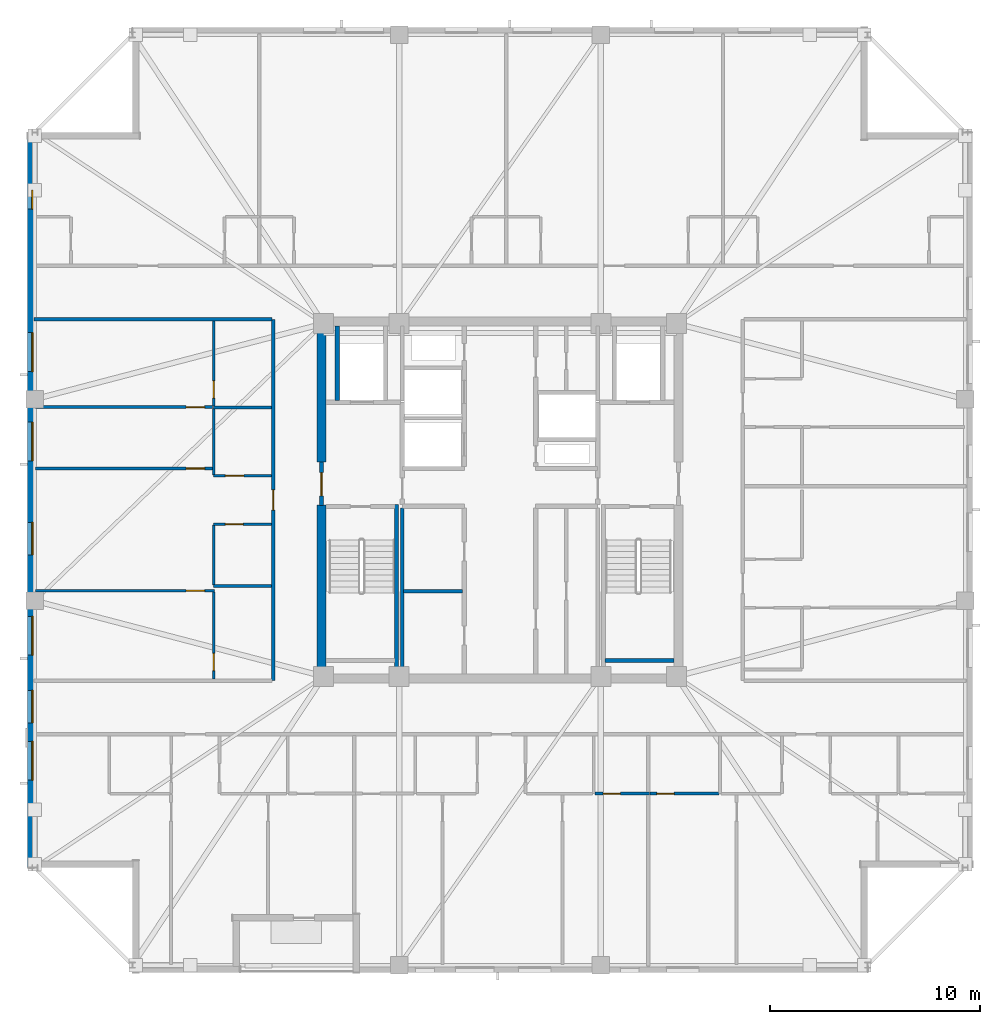
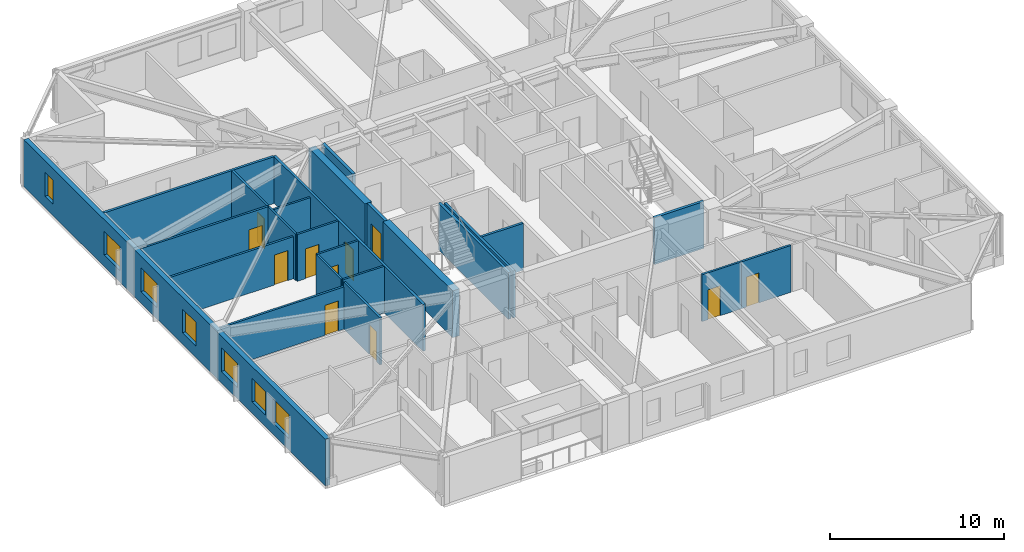
# One storey, part 8 of 17: 24 walls, 11 doors, 7 windows, 18 openings.
"""IFC4 building model written with IfcOpenShell, lengths in metres."""

from ifc_helpers import new_model, si_unit, direction, frame, frame_2d, origin, place, context, subcontext, project, spatial, rectangle, extrude, material, layer, layer_set, type_object, element, fill, save


model = new_model("IFC4")

# Units and contexts
model_context = context("Model", 3, precision=1e-05, world=origin(), true_north=direction((0.0, 1.0)))
body_context = subcontext(model_context, "Body", "Model", "MODEL_VIEW")
ifc_project = project(units=[si_unit("LENGTHUNIT", "METRE"), si_unit("AREAUNIT", "SQUARE_METRE"), si_unit("VOLUMEUNIT", "CUBIC_METRE"), si_unit("PLANEANGLEUNIT", "RADIAN"), si_unit("MASSUNIT", "GRAM", prefix="KILO")], contexts=[model_context])

# Site, building, storey
site_placement = place(None, origin())
site = spatial("IfcSite", under=ifc_project, at=site_placement, CompositionType="ELEMENT")
building_placement = place(site_placement, origin())
building = spatial("IfcBuilding", under=site, at=building_placement, Name="Cairnveth Concourse Tower", CompositionType="ELEMENT")
storey_placement = place(building_placement, frame((0.0, 0.0, 258.5)))
storey = spatial("IfcBuildingStorey", under=building, at=storey_placement, Name="L71", CompositionType="ELEMENT", Elevation=258.5)

# Walls
ifc_material_1 = material(Name="Gypsum Plasterboard Partition", Category="gypsum")
ifc_layer_1 = layer(ifc_material_1, 0.159912109375)
ifc_layer_set_1 = layer_set([ifc_layer_1], Name="Gypsum Plasterboard Partition")
wall_type_1 = type_object("IfcWallType", Name="ACOUSTIC PARTY WALL 180", PredefinedType="PARTITIONING", material=ifc_layer_set_1)
wall_1_placement = place(storey_placement, frame((47.35009765625, 30.7099609375, 0.0), z_axis=(0.0, 0.0, 1.0), x_axis=(0.0, 1.0, 0.0)))
element("IfcWall", 1, at=wall_1_placement, inside=storey, type_object=wall_type_1, Name="Interior Wall IW-L71-025", PredefinedType="PARTITIONING", context=body_context, shape_type="SweptSolid", body=[
    extrude(rectangle(XDim=7.905029296875, YDim=0.159912109375, at=frame_2d((3.95263671875, 0.0))), origin(), (0.0, 0.0, 1.0), 3.2900390625),
])
wall_2_placement = place(storey_placement, frame((47.4150390625, 34.64990234375, 0.0), z_axis=(0.0, 0.0, 1.0), x_axis=(1.0, 0.0, 0.0)))
element("IfcWall", 2, at=wall_2_placement, inside=storey, type_object=wall_type_1, Name="Interior Wall IW-L71-026", PredefinedType="PARTITIONING", context=body_context, shape_type="SweptSolid", body=[
    extrude(rectangle(XDim=2.800048828125, YDim=0.159912109375, at=frame_2d((1.39990234375, 0.0))), origin(), (0.0, 0.0, 1.0), 3.2900390625),
])

# Wall, opening, door
wall_3_placement = place(storey_placement, frame((41.199951171875, 30.39990234375, 0.0), z_axis=(0.0, 0.0, 1.0), x_axis=(0.0, 1.0, 0.0)))
wall_3 = element("IfcWall", 3, at=wall_3_placement, inside=storey, type_object=wall_type_1, Name="Interior Wall IW-L71-038", PredefinedType="PARTITIONING", context=body_context, shape_type="SweptSolid", body=[
    extrude(rectangle(XDim=17.2001953125, YDim=0.159912109375, at=frame_2d((8.60009765625, 0.0))), origin(), (0.0, 0.0, 1.0), 3.2900390625),
])
opening_1_placement = place(wall_3_placement, frame((8.1201171875, 0.0, 0.0)))
opening_1 = element("IfcOpeningElement", 4, at=opening_1_placement, cuts=wall_3, Name="Opening ID10", PredefinedType="OPENING", context=body_context, shape_type="SweptSolid", body=[
    extrude(rectangle(XDim=0.9599609375, YDim=2.179931640625, at=frame_2d((0.47998046875, 1.08984375))), frame((0.0, 0.08984375, 0.0), z_axis=(0.0, -1.0, 0.0), x_axis=(1.0, 0.0, 0.0)), (0.0, 0.0, 1.0), 0.179931640625),
])
ifc_material_2 = material(Name="Solid Core Hardwood Timber Leaf", Category="wood")
door_type_1 = type_object("IfcDoorType", Name="FLAT ENTRANCE DOOR 960X2150", OperationType="NOTDEFINED", PredefinedType="DOOR", material=ifc_material_2)
door_1_placement = place(opening_1_placement, origin())
door_1 = element("IfcDoor", 5, at=door_1_placement, inside=storey, type_object=door_type_1, Name="Apartment L71W1 Entrance Door", OperationType="SINGLE_SWING_RIGHT", OverallHeight=2.179931640625, OverallWidth=0.9599609375, PredefinedType="DOOR", context=body_context, shape_type="SweptSolid", body=[
    extrude(rectangle(XDim=0.9599609375, YDim=2.179931640625, at=frame_2d((0.47998046875, 1.08984375))), frame((0.0, 0.02490234375, 0.0), z_axis=(0.0, -1.0, 0.0), x_axis=(1.0, 0.0, 0.0)), (0.0, 0.0, 1.0), 0.050048828125),
])
fill(opening_1, door_1)

# Walls
wall_4_placement = place(storey_placement, frame((29.804931640625, 47.60009765625, 0.0), z_axis=(0.0, 0.0, 1.0), x_axis=(1.0, 0.0, 0.0)))
element("IfcWall", 6, at=wall_4_placement, inside=storey, type_object=wall_type_1, Name="Interior Wall IW-L71-041", PredefinedType="PARTITIONING", context=body_context, shape_type="SweptSolid", body=[
    extrude(rectangle(XDim=11.330078125, YDim=0.159912109375, at=frame_2d((5.6650390625, 0.0))), origin(), (0.0, 0.0, 1.0), 3.2900390625),
])
ifc_material_3 = material(Name="Concrete N65 (65 MPa)", Category="concrete")
ifc_layer_2 = layer(ifc_material_3, 0.449951171875)
ifc_layer_set_2 = layer_set([ifc_layer_2], Name="Concrete N65 (65 MPa)")
wall_type_2 = type_object("IfcWallType", Name="CORE SHEAR WALL 450", PredefinedType="SHEAR", material=ifc_layer_set_2)
wall_5_placement = place(storey_placement, frame((43.5, 30.715087890625, 0.0), z_axis=(0.0, 0.0, 1.0), x_axis=(0.0, 1.0, 0.0)))
element("IfcWall", 7, at=wall_5_placement, inside=storey, type_object=wall_type_2, Name="Core West Shear Wall S L71", PredefinedType="SHEAR", context=body_context, shape_type="SweptSolid", body=[
    extrude(rectangle(XDim=8.034912109375, YDim=0.449951171875, at=frame_2d((4.017578125, 0.0))), origin(), (0.0, 0.0, 1.0), 3.2900390625),
])
wall_6_placement = place(storey_placement, frame((43.5, 40.800048828125, 0.0), z_axis=(0.0, 0.0, 1.0), x_axis=(0.0, 1.0, 0.0)))
element("IfcWall", 8, at=wall_6_placement, inside=storey, type_object=wall_type_2, Name="Core West Shear Wall N L71", PredefinedType="SHEAR", context=body_context, shape_type="SweptSolid", body=[
    extrude(rectangle(XDim=6.48486328125, YDim=0.449951171875, at=frame_2d((3.242431640625, 0.0))), origin(), (0.0, 0.0, 1.0), 3.2900390625),
])
ifc_material_4 = material(Name="Concrete N50 (50 MPa)", Category="concrete")
ifc_layer_3 = layer(ifc_material_4, 0.179931640625)
ifc_layer_set_3 = layer_set([ifc_layer_3], Name="Concrete N50 (50 MPa)")
wall_type_3 = type_object("IfcWallType", Name="FIRE SHAFT WALL 180", PredefinedType="SOLIDWALL", material=ifc_layer_set_3)
wall_7_placement = place(storey_placement, frame((47.070068359375, 38.780029296875, 0.0), z_axis=(0.0, 0.0, 1.0), x_axis=(0.0, -1.0, 0.0)))
element("IfcWall", 9, at=wall_7_placement, inside=storey, type_object=wall_type_3, Name="Stair ST-1 Shaft Wall RGHT L71", PredefinedType="SOLIDWALL", context=body_context, shape_type="SweptSolid", body=[
    extrude(rectangle(XDim=8.067138671875, YDim=0.179931640625, at=frame_2d((4.03369140625, 0.0))), origin(), (0.0, 0.0, 1.0), 3.2900390625),
])
wall_8_placement = place(storey_placement, frame((57.0048828125, 31.360107421875, 0.0), z_axis=(0.0, 0.0, 1.0), x_axis=(1.0, 0.0, 0.0)))
element("IfcWall", 10, at=wall_8_placement, inside=storey, type_object=wall_type_3, Name="Stair ST-2 Shaft Wall FAR L71", PredefinedType="SOLIDWALL", context=body_context, shape_type="SweptSolid", body=[
    extrude(rectangle(XDim=3.280029296875, YDim=0.179931640625, at=frame_2d((1.64013671875, 0.0))), origin(), (0.0, 0.0, 1.0), 3.2900390625),
])

# Wall, opening, door
ifc_layer_4 = layer(ifc_material_4, 0.199951171875)
ifc_layer_set_4 = layer_set([ifc_layer_4], Name="Concrete N50 (50 MPa)")
wall_type_4 = type_object("IfcWallType", Name="FIRE SHAFT WALL 200", PredefinedType="SOLIDWALL", material=ifc_layer_set_4)
wall_9_placement = place(storey_placement, frame((43.5, 38.75, 0.0), z_axis=(0.0, 0.0, 1.0), x_axis=(0.0, 1.0, 0.0)))
wall_9 = element("IfcWall", 11, at=wall_9_placement, inside=storey, type_object=wall_type_4, Name="Interior Wall IW-L71-015", PredefinedType="SOLIDWALL", context=body_context, shape_type="SweptSolid", body=[
    extrude(rectangle(XDim=2.050048828125, YDim=0.199951171875, at=frame_2d((1.02490234375, 0.0))), origin(), (0.0, 0.0, 1.0), 3.2900390625),
])
opening_2_placement = place(wall_9_placement, frame((0.449951171875, 0.0, 0.0)))
opening_2 = element("IfcOpeningElement", 12, at=opening_2_placement, cuts=wall_9, Name="Opening ID06", PredefinedType="OPENING", context=body_context, shape_type="SweptSolid", body=[
    extrude(rectangle(XDim=1.10009765625, YDim=2.14990234375, at=frame_2d((0.550048828125, 1.074951171875))), frame((0.0, 0.10986328125, 0.0), z_axis=(0.0, -1.0, 0.0), x_axis=(1.0, 0.0, 0.0)), (0.0, 0.0, 1.0), 0.219970703125),
])
ifc_material_5 = material(Name="Steel Grade 350", Category="steel")
door_type_2 = type_object("IfcDoorType", Name="FIRE CORRIDOR DOOR 1100X2150", OperationType="NOTDEFINED", PredefinedType="DOOR", material=ifc_material_5)
door_2_placement = place(opening_2_placement, origin())
door_2 = element("IfcDoor", 13, at=door_2_placement, inside=storey, type_object=door_type_2, Name="West Wing to FF Lobby Door L71", OperationType="SINGLE_SWING_LEFT", OverallHeight=2.14990234375, OverallWidth=1.10009765625, PredefinedType="DOOR", context=body_context, shape_type="SweptSolid", body=[
    extrude(rectangle(XDim=1.10009765625, YDim=2.14990234375, at=frame_2d((0.550048828125, 1.074951171875))), frame((0.0, 0.02490234375, 0.0), z_axis=(0.0, -1.0, 0.0), x_axis=(1.0, 0.0, 0.0)), (0.0, 0.0, 1.0), 0.050048828125),
])
fill(opening_2, door_2)

# Wall
wall_10_placement = place(storey_placement, frame((44.25, 43.735107421875, 0.0), z_axis=(0.0, 0.0, 1.0), x_axis=(0.0, 1.0, 0.0)))
element("IfcWall", 14, at=wall_10_placement, inside=storey, type_object=wall_type_4, Name="Interior Wall IW-L71-019", PredefinedType="SOLIDWALL", context=body_context, shape_type="SweptSolid", body=[
    extrude(rectangle(XDim=3.554931640625, YDim=0.199951171875, at=frame_2d((1.77734375, 0.0))), origin(), (0.0, 0.0, 1.0), 3.2900390625),
])

# Wall, opening, door
ifc_layer_5 = layer(ifc_material_1, 0.139892578125)
ifc_layer_set_5 = layer_set([ifc_layer_5], Name="Gypsum Plasterboard Partition")
wall_type_5 = type_object("IfcWallType", Name="GYPSUM STUD PARTITION 140", PredefinedType="PARTITIONING", material=ifc_layer_set_5)
wall_11_placement = place(storey_placement, frame((56.514892578125, 25.017578125, 0.0), z_axis=(0.0, 0.0, 1.0), x_axis=(1.0, 0.0, 0.0)))
wall_11 = element("IfcWall", 15, at=wall_11_placement, inside=storey, type_object=wall_type_5, Name="Interior Wall IW-L71-063", PredefinedType="PARTITIONING", context=body_context, shape_type="SweptSolid", body=[
    extrude(rectangle(XDim=2.6025390625, YDim=0.139892578125, at=frame_2d((1.30126953125, 0.0))), origin(), (0.0, 0.0, 1.0), 3.2900390625),
])
opening_3_placement = place(wall_11_placement, frame((0.39990234375, 0.0, 0.0)))
opening_3 = element("IfcOpeningElement", 16, at=opening_3_placement, cuts=wall_11, Name="Opening ID22", PredefinedType="OPENING", context=body_context, shape_type="SweptSolid", body=[
    extrude(rectangle(XDim=0.820068359375, YDim=2.10009765625, at=frame_2d((0.41015625, 1.050048828125))), frame((0.0, 0.079833984375, 0.0), z_axis=(0.0, -1.0, 0.0), x_axis=(1.0, 0.0, 0.0)), (0.0, 0.0, 1.0), 0.159912109375),
])
door_type_3 = type_object("IfcDoorType", Name="INTERIOR WC DOOR 820X2100", OperationType="NOTDEFINED", PredefinedType="DOOR", material=ifc_material_2)
door_3_placement = place(opening_3_placement, origin())
door_3 = element("IfcDoor", 17, at=door_3_placement, inside=storey, type_object=door_type_3, Name="L71S2 Utility Door", OperationType="SINGLE_SWING_LEFT", OverallHeight=2.10009765625, OverallWidth=0.820068359375, PredefinedType="DOOR", context=body_context, shape_type="SweptSolid", body=[
    extrude(rectangle(XDim=0.820068359375, YDim=2.10009765625, at=frame_2d((0.41015625, 1.050048828125))), frame((0.0, 0.02490234375, 0.0), z_axis=(0.0, -1.0, 0.0), x_axis=(1.0, 0.0, 0.0)), (0.0, 0.0, 1.0), 0.050048828125),
])
fill(opening_3, door_3)

wall_12_placement = place(storey_placement, frame((59.132568359375, 25.017578125, 0.0), z_axis=(0.0, 0.0, 1.0), x_axis=(1.0, 0.0, 0.0)))
wall_12 = element("IfcWall", 18, at=wall_12_placement, inside=storey, type_object=wall_type_5, Name="Interior Wall IW-L71-072", PredefinedType="PARTITIONING", context=body_context, shape_type="SweptSolid", body=[
    extrude(rectangle(XDim=3.291015625, YDim=0.139892578125, at=frame_2d((1.6455078125, 0.0))), origin(), (0.0, 0.0, 1.0), 3.2900390625),
])
opening_4_placement = place(wall_12_placement, frame((0.3349609375, 0.0, 0.0)))
opening_4 = element("IfcOpeningElement", 19, at=opening_4_placement, cuts=wall_12, Name="Opening ID22", PredefinedType="OPENING", context=body_context, shape_type="SweptSolid", body=[
    extrude(rectangle(XDim=0.820068359375, YDim=2.10009765625, at=frame_2d((0.41015625, 1.050048828125))), frame((0.0, 0.079833984375, 0.0), z_axis=(0.0, -1.0, 0.0), x_axis=(1.0, 0.0, 0.0)), (0.0, 0.0, 1.0), 0.159912109375),
])
door_4_placement = place(opening_4_placement, origin())
door_4 = element("IfcDoor", 20, at=door_4_placement, inside=storey, type_object=door_type_3, Name="L71S3 Dressing Door", OperationType="SINGLE_SWING_RIGHT", OverallHeight=2.10009765625, OverallWidth=0.820068359375, PredefinedType="DOOR", context=body_context, shape_type="SweptSolid", body=[
    extrude(rectangle(XDim=0.820068359375, YDim=2.10009765625, at=frame_2d((0.41015625, 1.050048828125))), frame((0.0, 0.02490234375, 0.0), z_axis=(0.0, -1.0, 0.0), x_axis=(1.0, 0.0, 0.0)), (0.0, 0.0, 1.0), 0.050048828125),
])
fill(opening_4, door_4)

wall_13_placement = place(storey_placement, frame((29.8798828125, 34.679931640625, 0.0), z_axis=(0.0, 0.0, 1.0), x_axis=(1.0, 0.0, 0.0)))
wall_13 = element("IfcWall", 21, at=wall_13_placement, inside=storey, type_object=wall_type_5, Name="Interior Wall IW-L71-100", PredefinedType="PARTITIONING", context=body_context, shape_type="SweptSolid", body=[
    extrude(rectangle(XDim=8.530029296875, YDim=0.139892578125, at=frame_2d((4.26513671875, 0.0))), origin(), (0.0, 0.0, 1.0), 2.9580078125),
])
opening_5_placement = place(wall_13_placement, frame((7.179931640625, 0.0, 0.0)))
opening_5 = element("IfcOpeningElement", 22, at=opening_5_placement, cuts=wall_13, Name="Opening ID18", PredefinedType="OPENING", context=body_context, shape_type="SweptSolid", body=[
    extrude(rectangle(XDim=0.8798828125, YDim=2.10009765625, at=frame_2d((0.43994140625, 1.050048828125))), frame((0.0, 0.079833984375, 0.0), z_axis=(0.0, -1.0, 0.0), x_axis=(1.0, 0.0, 0.0)), (0.0, 0.0, 1.0), 0.159912109375),
])
door_type_4 = type_object("IfcDoorType", Name="INTERIOR SINGLE DOOR 880X2100", OperationType="NOTDEFINED", PredefinedType="DOOR", material=ifc_material_2)
door_5_placement = place(opening_5_placement, origin())
door_5 = element("IfcDoor", 23, at=door_5_placement, inside=storey, type_object=door_type_4, Name="L71W1 Master Bedroom Door", OperationType="SINGLE_SWING_RIGHT", OverallHeight=2.10009765625, OverallWidth=0.8798828125, PredefinedType="DOOR", context=body_context, shape_type="SweptSolid", body=[
    extrude(rectangle(XDim=0.8798828125, YDim=2.10009765625, at=frame_2d((0.43994140625, 1.050048828125))), frame((0.0, 0.02490234375, 0.0), z_axis=(0.0, -1.0, 0.0), x_axis=(1.0, 0.0, 0.0)), (0.0, 0.0, 1.0), 0.050048828125),
])
fill(opening_5, door_5)

wall_14_placement = place(storey_placement, frame((38.3701171875, 30.465087890625, 0.0), z_axis=(0.0, 0.0, 1.0), x_axis=(0.0, 1.0, 0.0)))
wall_14 = element("IfcWall", 24, at=wall_14_placement, inside=storey, type_object=wall_type_5, Name="Interior Wall IW-L71-101", PredefinedType="PARTITIONING", context=body_context, shape_type="SweptSolid", body=[
    extrude(rectangle(XDim=4.159912109375, YDim=0.139892578125, at=frame_2d((2.080078125, 0.0))), origin(), (0.0, 0.0, 1.0), 3.2900390625),
])
opening_6_placement = place(wall_14_placement, frame((0.4150390625, 0.0, 0.0)))
opening_6 = element("IfcOpeningElement", 25, at=opening_6_placement, cuts=wall_14, Name="Opening ID22", PredefinedType="OPENING", context=body_context, shape_type="SweptSolid", body=[
    extrude(rectangle(XDim=0.820068359375, YDim=2.10009765625, at=frame_2d((0.41015625, 1.050048828125))), frame((0.0, 0.079833984375, 0.0), z_axis=(0.0, -1.0, 0.0), x_axis=(1.0, 0.0, 0.0)), (0.0, 0.0, 1.0), 0.159912109375),
])
door_6_placement = place(opening_6_placement, origin())
door_6 = element("IfcDoor", 26, at=door_6_placement, inside=storey, type_object=door_type_3, Name="L71W1 Dressing Door", OperationType="SINGLE_SWING_LEFT", OverallHeight=2.10009765625, OverallWidth=0.820068359375, PredefinedType="DOOR", context=body_context, shape_type="SweptSolid", body=[
    extrude(rectangle(XDim=0.820068359375, YDim=2.10009765625, at=frame_2d((0.41015625, 1.050048828125))), frame((0.0, 0.02490234375, 0.0), z_axis=(0.0, -1.0, 0.0), x_axis=(1.0, 0.0, 0.0)), (0.0, 0.0, 1.0), 0.050048828125),
])
fill(opening_6, door_6)

wall_15_placement = place(storey_placement, frame((29.8798828125, 43.419921875, 0.0), z_axis=(0.0, 0.0, 1.0), x_axis=(1.0, 0.0, 0.0)))
wall_15 = element("IfcWall", 27, at=wall_15_placement, inside=storey, type_object=wall_type_5, Name="Interior Wall IW-L71-102", PredefinedType="PARTITIONING", context=body_context, shape_type="SweptSolid", body=[
    extrude(rectangle(XDim=8.440185546875, YDim=0.139892578125, at=frame_2d((4.22021484375, 0.0))), origin(), (0.0, 0.0, 1.0), 3.2900390625),
])
opening_7_placement = place(wall_15_placement, frame((7.179931640625, 0.0, 0.0)))
opening_7 = element("IfcOpeningElement", 28, at=opening_7_placement, cuts=wall_15, Name="Opening ID18", PredefinedType="OPENING", context=body_context, shape_type="SweptSolid", body=[
    extrude(rectangle(XDim=0.8798828125, YDim=2.10009765625, at=frame_2d((0.43994140625, 1.050048828125))), frame((0.0, 0.079833984375, 0.0), z_axis=(0.0, -1.0, 0.0), x_axis=(1.0, 0.0, 0.0)), (0.0, 0.0, 1.0), 0.159912109375),
])
door_7_placement = place(opening_7_placement, origin())
door_7 = element("IfcDoor", 29, at=door_7_placement, inside=storey, type_object=door_type_4, Name="L71W1 Bedroom 2 Door", OperationType="SINGLE_SWING_RIGHT", OverallHeight=2.10009765625, OverallWidth=0.8798828125, PredefinedType="DOOR", context=body_context, shape_type="SweptSolid", body=[
    extrude(rectangle(XDim=0.8798828125, YDim=2.10009765625, at=frame_2d((0.43994140625, 1.050048828125))), frame((0.0, 0.02490234375, 0.0), z_axis=(0.0, -1.0, 0.0), x_axis=(1.0, 0.0, 0.0)), (0.0, 0.0, 1.0), 0.050048828125),
])
fill(opening_7, door_7)

wall_16_placement = place(storey_placement, frame((38.3701171875, 43.47509765625, 0.0), z_axis=(0.0, 0.0, 1.0), x_axis=(0.0, 1.0, 0.0)))
wall_16 = element("IfcWall", 30, at=wall_16_placement, inside=storey, type_object=wall_type_5, Name="Interior Wall IW-L71-103", PredefinedType="PARTITIONING", context=body_context, shape_type="SweptSolid", body=[
    extrude(rectangle(XDim=4.059814453125, YDim=0.139892578125, at=frame_2d((2.02978515625, 0.0))), origin(), (0.0, 0.0, 1.0), 3.2900390625),
])
opening_8_placement = place(wall_16_placement, frame((0.375, 0.0, 0.0)))
opening_8 = element("IfcOpeningElement", 31, at=opening_8_placement, cuts=wall_16, Name="Opening ID22", PredefinedType="OPENING", context=body_context, shape_type="SweptSolid", body=[
    extrude(rectangle(XDim=0.820068359375, YDim=2.10009765625, at=frame_2d((0.41015625, 1.050048828125))), frame((0.0, 0.079833984375, 0.0), z_axis=(0.0, -1.0, 0.0), x_axis=(1.0, 0.0, 0.0)), (0.0, 0.0, 1.0), 0.159912109375),
])
door_8_placement = place(opening_8_placement, origin())
door_8 = element("IfcDoor", 32, at=door_8_placement, inside=storey, type_object=door_type_3, Name="L71W1 Utility Door", OperationType="SINGLE_SWING_LEFT", OverallHeight=2.10009765625, OverallWidth=0.820068359375, PredefinedType="DOOR", context=body_context, shape_type="SweptSolid", body=[
    extrude(rectangle(XDim=0.820068359375, YDim=2.10009765625, at=frame_2d((0.41015625, 1.050048828125))), frame((0.0, 0.02490234375, 0.0), z_axis=(0.0, -1.0, 0.0), x_axis=(1.0, 0.0, 0.0)), (0.0, 0.0, 1.0), 0.050048828125),
])
fill(opening_8, door_8)

wall_17_placement = place(storey_placement, frame((29.8798828125, 40.5, 0.0), z_axis=(0.0, 0.0, 1.0), x_axis=(1.0, 0.0, 0.0)))
wall_17 = element("IfcWall", 33, at=wall_17_placement, inside=storey, type_object=wall_type_5, Name="Interior Wall IW-L71-104", PredefinedType="PARTITIONING", context=body_context, shape_type="SweptSolid", body=[
    extrude(rectangle(XDim=8.440185546875, YDim=0.139892578125, at=frame_2d((4.22021484375, 0.0))), origin(), (0.0, 0.0, 1.0), 2.9580078125),
])
opening_9_placement = place(wall_17_placement, frame((7.179931640625, 0.0, 0.0)))
opening_9 = element("IfcOpeningElement", 34, at=opening_9_placement, cuts=wall_17, Name="Opening ID18", PredefinedType="OPENING", context=body_context, shape_type="SweptSolid", body=[
    extrude(rectangle(XDim=0.8798828125, YDim=2.10009765625, at=frame_2d((0.43994140625, 1.050048828125))), frame((0.0, 0.079833984375, 0.0), z_axis=(0.0, -1.0, 0.0), x_axis=(1.0, 0.0, 0.0)), (0.0, 0.0, 1.0), 0.159912109375),
])
door_9_placement = place(opening_9_placement, origin())
door_9 = element("IfcDoor", 35, at=door_9_placement, inside=storey, type_object=door_type_4, Name="L71W1 Media Lounge Door", OperationType="SINGLE_SWING_LEFT", OverallHeight=2.10009765625, OverallWidth=0.8798828125, PredefinedType="DOOR", context=body_context, shape_type="SweptSolid", body=[
    extrude(rectangle(XDim=0.8798828125, YDim=2.10009765625, at=frame_2d((0.43994140625, 1.050048828125))), frame((0.0, 0.02490234375, 0.0), z_axis=(0.0, -1.0, 0.0), x_axis=(1.0, 0.0, 0.0)), (0.0, 0.0, 1.0), 0.050048828125),
])
fill(opening_9, door_9)

# Wall
ifc_layer_6 = layer(ifc_material_1, 0.1298828125)
ifc_layer_set_6 = layer_set([ifc_layer_6], Name="Gypsum Plasterboard Partition")
wall_type_6 = type_object("IfcWallType", Name="WET AREA PARTITION 140", PredefinedType="PLUMBINGWALL", material=ifc_layer_set_6)
wall_18_placement = place(storey_placement, frame((38.3701171875, 34.89990234375, 0.0), z_axis=(0.0, 0.0, 1.0), x_axis=(1.0, 0.0, 0.0)))
element("IfcWall", 36, at=wall_18_placement, inside=storey, type_object=wall_type_6, Name="Interior Wall IW-L71-094", PredefinedType="PLUMBINGWALL", context=body_context, shape_type="SweptSolid", body=[
    extrude(rectangle(XDim=2.75, YDim=0.1298828125, at=frame_2d((1.375, 0.0))), origin(), (0.0, 0.0, 1.0), 3.2900390625),
])

# Wall, opening, door
wall_19_placement = place(storey_placement, frame((38.3701171875, 37.85009765625, 0.0), z_axis=(0.0, 0.0, 1.0), x_axis=(1.0, 0.0, 0.0)))
wall_19 = element("IfcWall", 37, at=wall_19_placement, inside=storey, type_object=wall_type_6, Name="Interior Wall IW-L71-095", PredefinedType="PLUMBINGWALL", context=body_context, shape_type="SweptSolid", body=[
    extrude(rectangle(XDim=2.75, YDim=0.1298828125, at=frame_2d((1.375, 0.0))), origin(), (0.0, 0.0, 1.0), 3.2900390625),
])
opening_10_placement = place(wall_19_placement, frame((0.550048828125, 0.0, 0.0)))
opening_10 = element("IfcOpeningElement", 38, at=opening_10_placement, cuts=wall_19, Name="Opening ID21", PredefinedType="OPENING", context=body_context, shape_type="SweptSolid", body=[
    extrude(rectangle(XDim=0.85009765625, YDim=2.080078125, at=frame_2d((0.425048828125, 1.0400390625))), frame((0.0, 0.074951171875, 0.0), z_axis=(0.0, -1.0, 0.0), x_axis=(1.0, 0.0, 0.0)), (0.0, 0.0, 1.0), 0.14990234375),
])
door_type_5 = type_object("IfcDoorType", Name="INTERIOR WC DOOR 850X2100", OperationType="NOTDEFINED", PredefinedType="DOOR", material=ifc_material_2)
door_10_placement = place(opening_10_placement, origin())
door_10 = element("IfcDoor", 39, at=door_10_placement, inside=storey, type_object=door_type_5, Name="L71W1 Bathroom Door", OperationType="SINGLE_SWING_LEFT", OverallHeight=2.080078125, OverallWidth=0.85009765625, PredefinedType="DOOR", context=body_context, shape_type="SweptSolid", body=[
    extrude(rectangle(XDim=0.85009765625, YDim=2.080078125, at=frame_2d((0.425048828125, 1.0400390625))), frame((0.0, 0.02490234375, 0.0), z_axis=(0.0, -1.0, 0.0), x_axis=(1.0, 0.0, 0.0)), (0.0, 0.0, 1.0), 0.050048828125),
])
fill(opening_10, door_10)

# Walls
wall_20_placement = place(storey_placement, frame((38.3701171875, 34.949951171875, 0.0), z_axis=(0.0, 0.0, 1.0), x_axis=(0.0, 1.0, 0.0)))
element("IfcWall", 40, at=wall_20_placement, inside=storey, type_object=wall_type_6, Name="Interior Wall IW-L71-096", PredefinedType="PLUMBINGWALL", context=body_context, shape_type="SweptSolid", body=[
    extrude(rectangle(XDim=2.85009765625, YDim=0.1298828125, at=frame_2d((1.425048828125, 0.0))), origin(), (0.0, 0.0, 1.0), 3.2900390625),
])
wall_21_placement = place(storey_placement, frame((38.3701171875, 43.39990234375, 0.0), z_axis=(0.0, 0.0, 1.0), x_axis=(1.0, 0.0, 0.0)))
element("IfcWall", 41, at=wall_21_placement, inside=storey, type_object=wall_type_6, Name="Interior Wall IW-L71-097", PredefinedType="PLUMBINGWALL", context=body_context, shape_type="SweptSolid", body=[
    extrude(rectangle(XDim=2.75, YDim=0.1298828125, at=frame_2d((1.375, 0.0))), origin(), (0.0, 0.0, 1.0), 2.9580078125),
])

# Wall, opening, door
wall_22_placement = place(storey_placement, frame((38.3701171875, 40.14990234375, 0.0), z_axis=(0.0, 0.0, 1.0), x_axis=(1.0, 0.0, 0.0)))
wall_22 = element("IfcWall", 42, at=wall_22_placement, inside=storey, type_object=wall_type_6, Name="Interior Wall IW-L71-098", PredefinedType="PLUMBINGWALL", context=body_context, shape_type="SweptSolid", body=[
    extrude(rectangle(XDim=2.75, YDim=0.1298828125, at=frame_2d((1.375, 0.0))), origin(), (0.0, 0.0, 1.0), 3.2900390625),
])
opening_11_placement = place(wall_22_placement, frame((0.550048828125, 0.0, 0.0)))
opening_11 = element("IfcOpeningElement", 43, at=opening_11_placement, cuts=wall_22, Name="Opening ID18", PredefinedType="OPENING", context=body_context, shape_type="SweptSolid", body=[
    extrude(rectangle(XDim=0.8798828125, YDim=2.10009765625, at=frame_2d((0.43994140625, 1.050048828125))), frame((0.0, 0.074951171875, 0.0), z_axis=(0.0, -1.0, 0.0), x_axis=(1.0, 0.0, 0.0)), (0.0, 0.0, 1.0), 0.14990234375),
])
door_11_placement = place(opening_11_placement, origin())
door_11 = element("IfcDoor", 44, at=door_11_placement, inside=storey, type_object=door_type_4, Name="L71W1 Kitchen Door", OperationType="SINGLE_SWING_RIGHT", OverallHeight=2.10009765625, OverallWidth=0.8798828125, PredefinedType="DOOR", context=body_context, shape_type="SweptSolid", body=[
    extrude(rectangle(XDim=0.8798828125, YDim=2.10009765625, at=frame_2d((0.43994140625, 1.050048828125))), frame((0.0, 0.02490234375, 0.0), z_axis=(0.0, -1.0, 0.0), x_axis=(1.0, 0.0, 0.0)), (0.0, 0.0, 1.0), 0.050048828125),
])
fill(opening_11, door_11)

# Wall
wall_23_placement = place(storey_placement, frame((38.3701171875, 40.199951171875, 0.0), z_axis=(0.0, 0.0, 1.0), x_axis=(0.0, 1.0, 0.0)))
element("IfcWall", 45, at=wall_23_placement, inside=storey, type_object=wall_type_6, Name="Interior Wall IW-L71-099", PredefinedType="PLUMBINGWALL", context=body_context, shape_type="SweptSolid", body=[
    extrude(rectangle(XDim=3.150146484375, YDim=0.1298828125, at=frame_2d((1.5751953125, 0.0))), origin(), (0.0, 0.0, 1.0), 3.2900390625),
])

# Wall, openings, windows
ifc_material_6 = material(Name="Melbourne Buff Fired Clay Brick Masonry", Category="masonry")
ifc_layer_7 = layer(ifc_material_6, 0.320068359375)
ifc_layer_set_7 = layer_set([ifc_layer_7], Name="Melbourne Buff Fired Clay Brick Masonry")
wall_type_7 = type_object("IfcWallType", Name="ZONE 3 BRICK PIER SPANDREL WALL 320", PredefinedType="SOLIDWALL", material=ifc_layer_set_7)
wall_24_placement = place(storey_placement, frame((29.659912109375, 21.5, 0.0), z_axis=(0.0, 0.0, 1.0), x_axis=(0.0, 1.0, 0.0)))
wall_24 = element("IfcWall", 46, at=wall_24_placement, inside=storey, type_object=wall_type_7, Name="Exterior Wall EW-L71-S03", PredefinedType="SOLIDWALL", context=body_context, shape_type="SweptSolid", body=[
    extrude(rectangle(XDim=34.701904296875, YDim=0.320068359375, at=frame_2d((17.35107421875, 0.0))), origin(), (0.0, 0.0, 1.0), 3.2900390625),
])
opening_12_placement = place(wall_24_placement, frame((4.16259765625, 0.0, 0.800048828125)))
opening_12 = element("IfcOpeningElement", 47, at=opening_12_placement, cuts=wall_24, Name="Opening W08", PredefinedType="OPENING", context=body_context, shape_type="SweptSolid", body=[
    extrude(rectangle(XDim=1.85009765625, YDim=1.677978515625, at=frame_2d((0.925048828125, 0.8388671875))), frame((0.0, 0.169921875, 0.0), z_axis=(0.0, -1.0, 0.0), x_axis=(1.0, 0.0, 0.0)), (0.0, 0.0, 1.0), 0.340087890625),
])
opening_13_placement = place(wall_24_placement, frame((6.887939453125, 0.0, 0.800048828125)))
opening_13 = element("IfcOpeningElement", 48, at=opening_13_placement, cuts=wall_24, Name="Opening W07", PredefinedType="OPENING", context=body_context, shape_type="SweptSolid", body=[
    extrude(rectangle(XDim=1.550048828125, YDim=1.677978515625, at=frame_2d((0.77490234375, 0.8388671875))), frame((0.0, 0.169921875, 0.0), z_axis=(0.0, -1.0, 0.0), x_axis=(1.0, 0.0, 0.0)), (0.0, 0.0, 1.0), 0.340087890625),
])
opening_14_placement = place(wall_24_placement, frame((10.113037109375, 0.0, 0.800048828125)))
opening_14 = element("IfcOpeningElement", 49, at=opening_14_placement, cuts=wall_24, Name="Opening W08", PredefinedType="OPENING", context=body_context, shape_type="SweptSolid", body=[
    extrude(rectangle(XDim=1.85009765625, YDim=1.677978515625, at=frame_2d((0.925048828125, 0.8388671875))), frame((0.0, 0.169921875, 0.0), z_axis=(0.0, -1.0, 0.0), x_axis=(1.0, 0.0, 0.0)), (0.0, 0.0, 1.0), 0.340087890625),
])
opening_15_placement = place(wall_24_placement, frame((14.888427734375, 0.0, 0.800048828125)))
opening_15 = element("IfcOpeningElement", 50, at=opening_15_placement, cuts=wall_24, Name="Opening W07", PredefinedType="OPENING", context=body_context, shape_type="SweptSolid", body=[
    extrude(rectangle(XDim=1.550048828125, YDim=1.677978515625, at=frame_2d((0.77490234375, 0.8388671875))), frame((0.0, 0.169921875, 0.0), z_axis=(0.0, -1.0, 0.0), x_axis=(1.0, 0.0, 0.0)), (0.0, 0.0, 1.0), 0.340087890625),
])
opening_16_placement = place(wall_24_placement, frame((19.363525390625, 0.0, 0.800048828125)))
opening_16 = element("IfcOpeningElement", 51, at=opening_16_placement, cuts=wall_24, Name="Opening W08", PredefinedType="OPENING", context=body_context, shape_type="SweptSolid", body=[
    extrude(rectangle(XDim=1.85009765625, YDim=1.677978515625, at=frame_2d((0.925048828125, 0.8388671875))), frame((0.0, 0.169921875, 0.0), z_axis=(0.0, -1.0, 0.0), x_axis=(1.0, 0.0, 0.0)), (0.0, 0.0, 1.0), 0.340087890625),
])
opening_17_placement = place(wall_24_placement, frame((23.614013671875, 0.0, 0.800048828125)))
opening_17 = element("IfcOpeningElement", 52, at=opening_17_placement, cuts=wall_24, Name="Opening W08", PredefinedType="OPENING", context=body_context, shape_type="SweptSolid", body=[
    extrude(rectangle(XDim=1.85009765625, YDim=1.677978515625, at=frame_2d((0.925048828125, 0.8388671875))), frame((0.0, 0.169921875, 0.0), z_axis=(0.0, -1.0, 0.0), x_axis=(1.0, 0.0, 0.0)), (0.0, 0.0, 1.0), 0.340087890625),
])
opening_18_placement = place(wall_24_placement, frame((31.35009765625, 0.0, 0.800048828125)))
opening_18 = element("IfcOpeningElement", 53, at=opening_18_placement, cuts=wall_24, Name="Opening W13", PredefinedType="OPENING", context=body_context, shape_type="SweptSolid", body=[
    extrude(rectangle(XDim=0.89990234375, YDim=1.677978515625, at=frame_2d((0.449951171875, 0.8388671875))), frame((0.0, 0.169921875, 0.0), z_axis=(0.0, -1.0, 0.0), x_axis=(1.0, 0.0, 0.0)), (0.0, 0.0, 1.0), 0.340087890625),
])
ifc_material_7 = material(Name="Double Glazed Low-E Clear Glass", Category="glass")
window_type_1 = type_object("IfcWindowType", Name="DEEP-SET APARTMENT LIVING WINDOW 1850X1850", PartitioningType="DOUBLE_PANEL_VERTICAL", PredefinedType="WINDOW", material=ifc_material_7)
window_1_placement = place(opening_12_placement, origin())
window_1 = element("IfcWindow", 54, at=window_1_placement, inside=storey, type_object=window_type_1, Name="Gothic Lancet Window L71-3-1", OverallHeight=1.677978515625, OverallWidth=1.85009765625, PartitioningType="SINGLE_PANEL", PredefinedType="WINDOW", context=body_context, shape_type="SweptSolid", body=[
    extrude(rectangle(XDim=1.85009765625, YDim=1.677978515625, at=frame_2d((0.925048828125, 0.8388671875))), frame((0.0, -0.050048828125, 0.0), z_axis=(0.0, -1.0, 0.0), x_axis=(1.0, 0.0, 0.0)), (0.0, 0.0, 1.0), 0.06005859375),
])
fill(opening_12, window_1)
window_2_placement = place(opening_14_placement, origin())
window_2 = element("IfcWindow", 55, at=window_2_placement, inside=storey, type_object=window_type_1, Name="Gothic Lancet Window L71-3-3", OverallHeight=1.677978515625, OverallWidth=1.85009765625, PartitioningType="SINGLE_PANEL", PredefinedType="WINDOW", context=body_context, shape_type="SweptSolid", body=[
    extrude(rectangle(XDim=1.85009765625, YDim=1.677978515625, at=frame_2d((0.925048828125, 0.8388671875))), frame((0.0, -0.050048828125, 0.0), z_axis=(0.0, -1.0, 0.0), x_axis=(1.0, 0.0, 0.0)), (0.0, 0.0, 1.0), 0.06005859375),
])
fill(opening_14, window_2)
window_3_placement = place(opening_16_placement, origin())
window_3 = element("IfcWindow", 56, at=window_3_placement, inside=storey, type_object=window_type_1, Name="Gothic Lancet Window L71-3-5", OverallHeight=1.677978515625, OverallWidth=1.85009765625, PartitioningType="SINGLE_PANEL", PredefinedType="WINDOW", context=body_context, shape_type="SweptSolid", body=[
    extrude(rectangle(XDim=1.85009765625, YDim=1.677978515625, at=frame_2d((0.925048828125, 0.8388671875))), frame((0.0, -0.050048828125, 0.0), z_axis=(0.0, -1.0, 0.0), x_axis=(1.0, 0.0, 0.0)), (0.0, 0.0, 1.0), 0.06005859375),
])
fill(opening_16, window_3)
window_4_placement = place(opening_17_placement, origin())
window_4 = element("IfcWindow", 57, at=window_4_placement, inside=storey, type_object=window_type_1, Name="Gothic Lancet Window L71-3-7", OverallHeight=1.677978515625, OverallWidth=1.85009765625, PartitioningType="SINGLE_PANEL", PredefinedType="WINDOW", context=body_context, shape_type="SweptSolid", body=[
    extrude(rectangle(XDim=1.85009765625, YDim=1.677978515625, at=frame_2d((0.925048828125, 0.8388671875))), frame((0.0, -0.050048828125, 0.0), z_axis=(0.0, -1.0, 0.0), x_axis=(1.0, 0.0, 0.0)), (0.0, 0.0, 1.0), 0.06005859375),
])
fill(opening_17, window_4)
window_type_2 = type_object("IfcWindowType", Name="DEEP-SET APARTMENT WINDOW 1550X1800", PartitioningType="DOUBLE_PANEL_VERTICAL", PredefinedType="WINDOW", material=ifc_material_7)
window_5_placement = place(opening_13_placement, origin())
window_5 = element("IfcWindow", 58, at=window_5_placement, inside=storey, type_object=window_type_2, Name="Gothic Lancet Window L71-3-2", OverallHeight=1.677978515625, OverallWidth=1.550048828125, PartitioningType="SINGLE_PANEL", PredefinedType="WINDOW", context=body_context, shape_type="SweptSolid", body=[
    extrude(rectangle(XDim=1.550048828125, YDim=1.677978515625, at=frame_2d((0.77490234375, 0.8388671875))), frame((0.0, -0.050048828125, 0.0), z_axis=(0.0, -1.0, 0.0), x_axis=(1.0, 0.0, 0.0)), (0.0, 0.0, 1.0), 0.06005859375),
])
fill(opening_13, window_5)
window_6_placement = place(opening_15_placement, origin())
window_6 = element("IfcWindow", 59, at=window_6_placement, inside=storey, type_object=window_type_2, Name="Gothic Lancet Window L71-3-4", OverallHeight=1.677978515625, OverallWidth=1.550048828125, PartitioningType="SINGLE_PANEL", PredefinedType="WINDOW", context=body_context, shape_type="SweptSolid", body=[
    extrude(rectangle(XDim=1.550048828125, YDim=1.677978515625, at=frame_2d((0.77490234375, 0.8388671875))), frame((0.0, -0.050048828125, 0.0), z_axis=(0.0, -1.0, 0.0), x_axis=(1.0, 0.0, 0.0)), (0.0, 0.0, 1.0), 0.06005859375),
])
fill(opening_15, window_6)
window_type_3 = type_object("IfcWindowType", Name="DEEP-SET BEDROOM LANCET WINDOW 900X1750", PartitioningType="DOUBLE_PANEL_VERTICAL", PredefinedType="WINDOW", material=ifc_material_7)
window_7_placement = place(opening_18_placement, origin())
window_7 = element("IfcWindow", 60, at=window_7_placement, inside=storey, type_object=window_type_3, Name="Dwelling Lancet Window L71-DW4", OverallHeight=1.677978515625, OverallWidth=0.89990234375, PartitioningType="SINGLE_PANEL", PredefinedType="WINDOW", context=body_context, shape_type="SweptSolid", body=[
    extrude(rectangle(XDim=0.89990234375, YDim=1.677978515625, at=frame_2d((0.449951171875, 0.8388671875))), frame((0.0, -0.0400390625, 0.0), z_axis=(0.0, -1.0, 0.0), x_axis=(1.0, 0.0, 0.0)), (0.0, 0.0, 1.0), 0.06005859375),
])
fill(opening_18, window_7)

save(model, "model.ifc")
